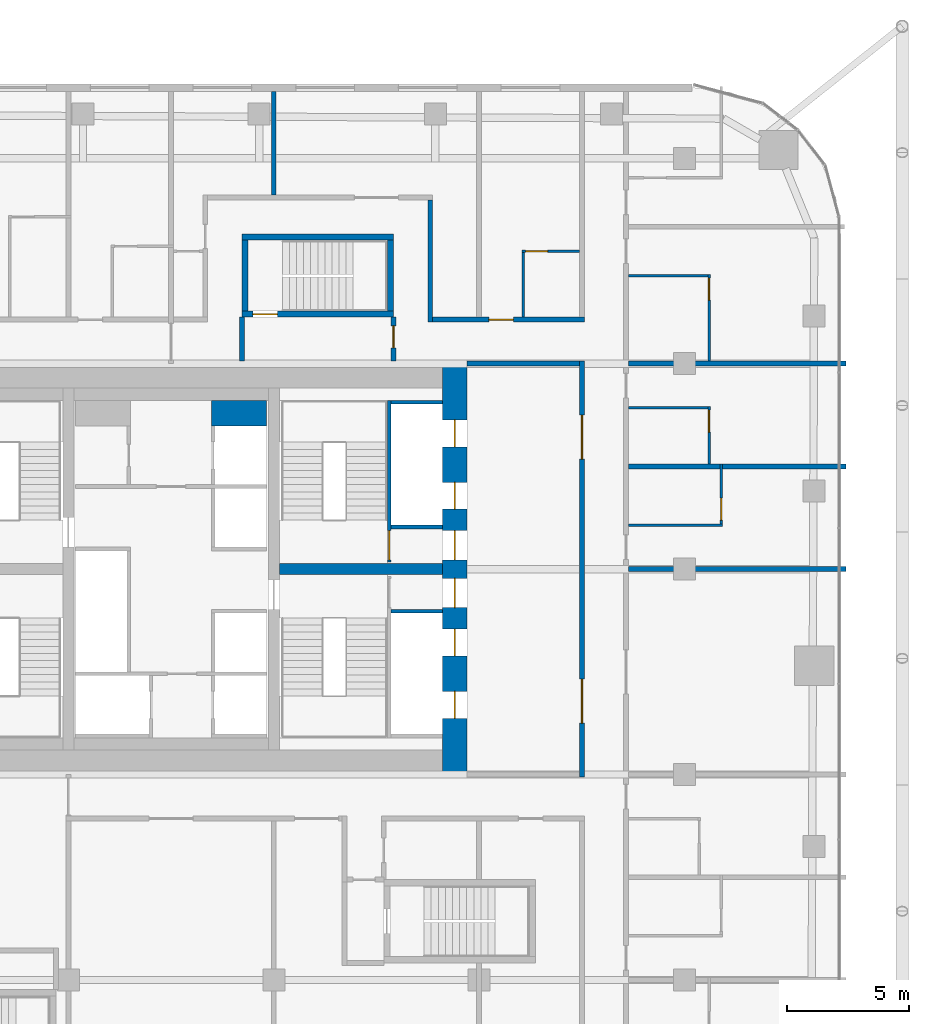
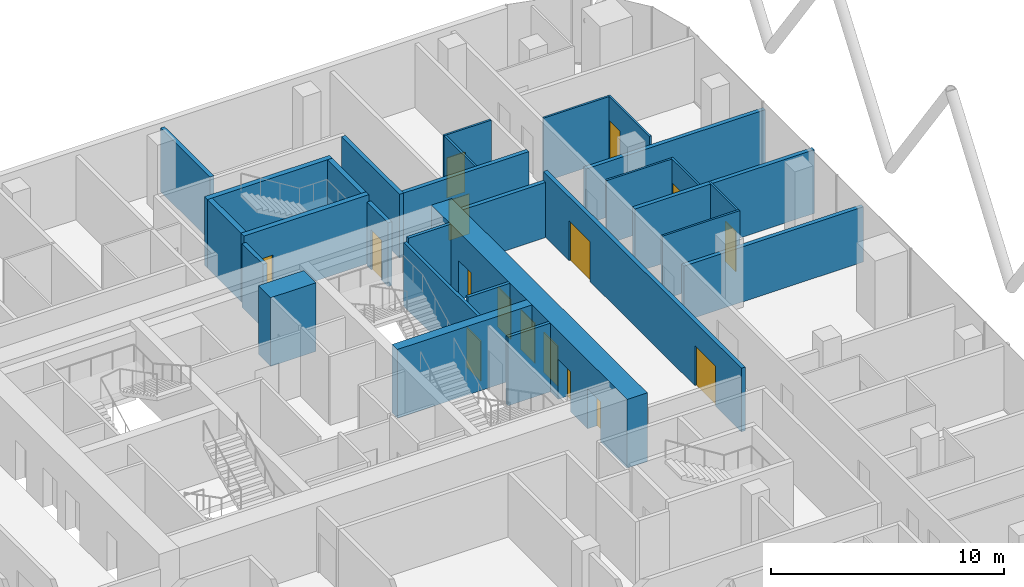
# One storey, part 30 of 33: 29 walls, 16 doors, 16 openings.
"""IFC4 building model written with IfcOpenShell, lengths in metres."""

from ifc_helpers import new_model, si_unit, direction, frame, frame_2d, origin, place, context, subcontext, project, spatial, rectangle, extrude, material, layer, layer_set, type_object, element, fill, save


model = new_model("IFC4")

# Units and contexts
model_context = context("Model", 3, precision=1e-05, world=origin(), true_north=direction((0.0, 1.0)))
body_context = subcontext(model_context, "Body", "Model", "MODEL_VIEW")
ifc_project = project(units=[si_unit("LENGTHUNIT", "METRE"), si_unit("AREAUNIT", "SQUARE_METRE"), si_unit("VOLUMEUNIT", "CUBIC_METRE"), si_unit("PLANEANGLEUNIT", "RADIAN"), si_unit("MASSUNIT", "GRAM", prefix="KILO")], contexts=[model_context])

# Site, building, storey
site_placement = place(None, origin())
site = spatial("IfcSite", under=ifc_project, at=site_placement, CompositionType="ELEMENT")
building_placement = place(site_placement, origin())
building = spatial("IfcBuilding", under=site, at=building_placement, Name="Marenta Gate Hotel Tower", CompositionType="ELEMENT")
storey_placement = place(building_placement, frame((0.0, 0.0, 108.5)))
storey = spatial("IfcBuildingStorey", under=building, at=storey_placement, Name="L23", CompositionType="ELEMENT", Elevation=108.5)

# Wall, openings, doors
ifc_material_1 = material(Name="Concrete blockwork", Category="masonry")
ifc_layer_1 = layer(ifc_material_1, 0.199951171875)
ifc_layer_set_1 = layer_set([ifc_layer_1], Name="Concrete blockwork")
wall_type_1 = type_object("IfcWallType", Name="Core boundary wall 200 REI 180", PredefinedType="PARTITIONING", material=ifc_layer_set_1)
wall_1_placement = place(storey_placement, frame((16.800048828125, -0.10009765625, 0.0), z_axis=(0.0, 0.0, 1.0), x_axis=(0.0, 1.0, 0.0)))
wall_1 = element("IfcWall", 1, at=wall_1_placement, inside=storey, type_object=wall_type_1, Name="L23-CP-BW-E", PredefinedType="PARTITIONING", context=body_context, shape_type="SweptSolid", body=[
    extrude(rectangle(XDim=17.0, YDim=0.199951171875, at=frame_2d((8.5, 0.0))), origin(), (0.0, 0.0, 1.0), 3.340087890625),
])
opening_1_placement = place(wall_1_placement, frame((2.199951171875, 0.0, 0.0)))
opening_1 = element("IfcOpeningElement", 2, at=opening_1_placement, cuts=wall_1, Name="Opening ED-Ea-B", PredefinedType="OPENING", context=body_context, shape_type="SweptSolid", body=[
    extrude(rectangle(XDim=1.800048828125, YDim=2.10009765625, at=frame_2d((0.89990234375, 1.050048828125))), frame((0.0, 0.10009765625, 0.0), z_axis=(0.0, -1.0, 0.0), x_axis=(1.0, 0.0, 0.0)), (0.0, 0.0, 1.0), 0.199951171875),
])
opening_2_placement = place(wall_1_placement, frame((13.0, 0.0, 0.0)))
opening_2 = element("IfcOpeningElement", 3, at=opening_2_placement, cuts=wall_1, Name="Opening ED-Eb-B", PredefinedType="OPENING", context=body_context, shape_type="SweptSolid", body=[
    extrude(rectangle(XDim=1.800048828125, YDim=2.10009765625, at=frame_2d((0.89990234375, 1.050048828125))), frame((0.0, 0.10009765625, 0.0), z_axis=(0.0, -1.0, 0.0), x_axis=(1.0, 0.0, 0.0)), (0.0, 0.0, 1.0), 0.199951171875),
])
ifc_material_2 = material(Name="Steel", Category="steel")
door_type_1 = type_object("IfcDoorType", Name="Core lobby entrance door 1800x2100 EI 60", OperationType="DOUBLE_DOOR_SINGLE_SWING", PredefinedType="DOOR", material=ifc_material_2)
door_1_placement = place(opening_1_placement, origin())
door_1 = element("IfcDoor", 4, at=door_1_placement, inside=storey, type_object=door_type_1, Name="ED-Ea-B", OperationType="DOUBLE_DOOR_SINGLE_SWING", OverallHeight=2.10009765625, OverallWidth=1.800048828125, PredefinedType="DOOR", context=body_context, shape_type="SweptSolid", body=[
    extrude(rectangle(XDim=1.800048828125, YDim=2.10009765625, at=frame_2d((0.89990234375, 1.050048828125))), frame((0.0, 0.02490234375, 0.0), z_axis=(0.0, -1.0, 0.0), x_axis=(1.0, 0.0, 0.0)), (0.0, 0.0, 1.0), 0.050048828125),
])
fill(opening_1, door_1)
door_2_placement = place(opening_2_placement, origin())
door_2 = element("IfcDoor", 5, at=door_2_placement, inside=storey, type_object=door_type_1, Name="ED-Eb-B", OperationType="DOUBLE_DOOR_SINGLE_SWING", OverallHeight=2.10009765625, OverallWidth=1.800048828125, PredefinedType="DOOR", context=body_context, shape_type="SweptSolid", body=[
    extrude(rectangle(XDim=1.800048828125, YDim=2.10009765625, at=frame_2d((0.89990234375, 1.050048828125))), frame((0.0, 0.02490234375, 0.0), z_axis=(0.0, -1.0, 0.0), x_axis=(1.0, 0.0, 0.0)), (0.0, 0.0, 1.0), 0.050048828125),
])
fill(opening_2, door_2)

# Walls
wall_2_placement = place(storey_placement, frame((12.10009765625, 16.800048828125, 0.0), z_axis=(0.0, 0.0, 1.0), x_axis=(1.0, 0.0, 0.0)))
element("IfcWall", 6, at=wall_2_placement, inside=storey, type_object=wall_type_1, Name="L23-CP-EW-EN", PredefinedType="PARTITIONING", context=body_context, shape_type="SweptSolid", body=[
    extrude(rectangle(XDim=4.599853515625, YDim=0.199951171875, at=frame_2d((2.2998046875, 0.0))), origin(), (0.0, 0.0, 1.0), 2.889892578125),
])
ifc_material_3 = material(Name="Concrete C40", Category="concrete")
ifc_layer_2 = layer(ifc_material_3, 1.050048828125)
ifc_layer_set_2 = layer_set([ifc_layer_2], Name="Concrete C40")
wall_type_2 = type_object("IfcWallType", Name="Core shaft wall 1050 REI 180", PredefinedType="SHEAR", material=ifc_layer_set_2)
wall_3_placement = place(storey_placement, frame((1.64990234375, 14.77490234375, 0.0), z_axis=(0.0, 0.0, 1.0), x_axis=(1.0, 0.0, 0.0)))
element("IfcWall", 7, at=wall_3_placement, inside=storey, type_object=wall_type_2, Name="L23-SHF-CE-N-top", PredefinedType="SHEAR", context=body_context, shape_type="SweptSolid", body=[
    extrude(rectangle(XDim=2.25, YDim=1.050048828125, at=frame_2d((1.125, 0.0))), origin(), (0.0, 0.0, 1.0), 3.60009765625),
])
ifc_material_4 = material(Name="Concrete C40", Category="concrete")
ifc_layer_3 = layer(ifc_material_4, 0.14990234375)
ifc_layer_set_3 = layer_set([ifc_layer_3], Name="Concrete C40")
wall_type_3 = type_object("IfcWallType", Name="Core shaft wall 150 REI 180", PredefinedType="SHEAR", material=ifc_layer_set_3)
for number, where, z_axis, x_axis, name in (
    (8, (9.0, 6.675048828125, 0.0), (0.0, 0.0, 1.0), (1.0, 0.0, 0.0), "L23-SHF-SW-ES-2"),
    (9, (9.0, 10.125, 0.0), (0.0, 0.0, 1.0), (1.0, 0.0, 0.0), "L23-SHF-SW-EN-2"),
    (10, (9.0, 15.22509765625, 0.0), (0.0, 0.0, 1.0), (1.0, 0.0, 0.0), "L23-SHF-SW-EN-5"),
):
    element("IfcWall", number, at=place(storey_placement, frame(where, z_axis=z_axis, x_axis=x_axis)), inside=storey, type_object=wall_type_3, Name=name, PredefinedType="SHEAR", context=body_context, shape_type="SweptSolid", body=[
        extrude(rectangle(XDim=2.10009765625, YDim=0.14990234375, at=frame_2d((1.050048828125, 0.0))), origin(), (0.0, 0.0, 1.0), 3.60009765625),
    ])

# Wall, opening, door
ifc_material_5 = material(Name="Concrete C40", Category="concrete")
ifc_layer_4 = layer(ifc_material_5, 0.14990234375)
ifc_layer_set_4 = layer_set([ifc_layer_4], Name="Concrete C40")
wall_type_4 = type_object("IfcWallType", Name="Core stair enclosure wall 150 REI 180", PredefinedType="SHEAR", material=ifc_layer_set_4)
wall_4_placement = place(storey_placement, frame((8.925048828125, 8.699951171875, 0.0), z_axis=(0.0, 0.0, 1.0), x_axis=(0.0, 1.0, 0.0)))
wall_4 = element("IfcWall", 11, at=wall_4_placement, inside=storey, type_object=wall_type_4, Name="L23-SHF-SW-EN-3", PredefinedType="SHEAR", context=body_context, shape_type="SweptSolid", body=[
    extrude(rectangle(XDim=6.60009765625, YDim=0.14990234375, at=frame_2d((3.300048828125, 0.0))), origin(), (0.0, 0.0, 1.0), 3.340087890625),
])
opening_3_placement = place(wall_4_placement, frame((0.074951171875, 0.0, 0.0)))
opening_3 = element("IfcOpeningElement", 12, at=opening_3_placement, cuts=wall_4, Name="Opening SD-EN", PredefinedType="OPENING", context=body_context, shape_type="SweptSolid", body=[
    extrude(rectangle(XDim=1.199951171875, YDim=2.10009765625, at=frame_2d((0.60009765625, 1.050048828125))), frame((0.0, 0.074951171875, 0.0), z_axis=(0.0, -1.0, 0.0), x_axis=(1.0, 0.0, 0.0)), (0.0, 0.0, 1.0), 0.14990234375),
])
ifc_material_6 = material(Name="Steel", Category="steel")
door_type_2 = type_object("IfcDoorType", Name="Core stair door 1200x2100 FD60", OperationType="SINGLE_SWING_LEFT", PredefinedType="DOOR", material=ifc_material_6)
door_3_placement = place(opening_3_placement, origin())
door_3 = element("IfcDoor", 13, at=door_3_placement, inside=storey, type_object=door_type_2, Name="SD-EN", OperationType="SINGLE_SWING_LEFT", OverallHeight=2.10009765625, OverallWidth=1.199951171875, PredefinedType="DOOR", context=body_context, shape_type="SweptSolid", body=[
    extrude(rectangle(XDim=1.199951171875, YDim=2.10009765625, at=frame_2d((0.60009765625, 1.050048828125))), frame((0.0, 0.02490234375, 0.0), z_axis=(0.0, -1.0, 0.0), x_axis=(1.0, 0.0, 0.0)), (0.0, 0.0, 1.0), 0.050048828125),
])
fill(opening_3, door_3)

# Wall, openings, doors
ifc_material_7 = material(Name="Concrete C70", Category="concrete")
ifc_layer_5 = layer(ifc_material_7, 1.0)
ifc_layer_set_5 = layer_set([ifc_layer_5], Name="Concrete C70")
wall_type_5 = type_object("IfcWallType", Name="Core wall 1000 C70", PredefinedType="SHEAR", material=ifc_layer_set_5)
wall_5_placement = place(storey_placement, frame((11.60009765625, 0.0, 0.0), z_axis=(0.0, 0.0, 1.0), x_axis=(0.0, 1.0, 0.0)))
wall_5 = element("IfcWall", 14, at=wall_5_placement, inside=storey, type_object=wall_type_5, Name="L23-CORE-E", PredefinedType="SHEAR", context=body_context, shape_type="SweptSolid", body=[
    extrude(rectangle(XDim=16.800048828125, YDim=1.0, at=frame_2d((8.39990234375, 0.0))), origin(), (0.0, 0.0, 1.0), 3.60009765625),
])
opening_4_placement = place(wall_5_placement, frame((2.300048828125, 0.0, 0.0)))
opening_4 = element("IfcOpeningElement", 15, at=opening_4_placement, cuts=wall_5, Name="Opening LD-HR1", PredefinedType="OPENING", context=body_context, shape_type="SweptSolid", body=[
    extrude(rectangle(XDim=1.10009765625, YDim=2.10009765625, at=frame_2d((0.550048828125, 1.050048828125))), frame((0.0, 0.5, 0.0), z_axis=(0.0, -1.0, 0.0), x_axis=(1.0, 0.0, 0.0)), (0.0, 0.0, 1.0), 1.0),
])
opening_5_placement = place(wall_5_placement, frame((4.85009765625, 0.0, 0.0)))
opening_5 = element("IfcOpeningElement", 16, at=opening_5_placement, cuts=wall_5, Name="Opening LD-HR2", PredefinedType="OPENING", context=body_context, shape_type="SweptSolid", body=[
    extrude(rectangle(XDim=1.10009765625, YDim=2.10009765625, at=frame_2d((0.550048828125, 1.050048828125))), frame((0.0, 0.5, 0.0), z_axis=(0.0, -1.0, 0.0), x_axis=(1.0, 0.0, 0.0)), (0.0, 0.0, 1.0), 1.0),
])
opening_6_placement = place(wall_5_placement, frame((6.824951171875, 0.0, 0.0)))
opening_6 = element("IfcOpeningElement", 17, at=opening_6_placement, cuts=wall_5, Name="Opening PD-ES", PredefinedType="OPENING", context=body_context, shape_type="SweptSolid", body=[
    extrude(rectangle(XDim=1.199951171875, YDim=2.10009765625, at=frame_2d((0.60009765625, 1.050048828125))), frame((0.0, 0.5, 0.0), z_axis=(0.0, -1.0, 0.0), x_axis=(1.0, 0.0, 0.0)), (0.0, 0.0, 1.0), 1.0),
])
opening_7_placement = place(wall_5_placement, frame((13.39990234375, 0.0, 0.0)))
opening_7 = element("IfcOpeningElement", 18, at=opening_7_placement, cuts=wall_5, Name="Opening LD-HR4", PredefinedType="OPENING", context=body_context, shape_type="SweptSolid", body=[
    extrude(rectangle(XDim=1.10009765625, YDim=2.10009765625, at=frame_2d((0.550048828125, 1.050048828125))), frame((0.0, 0.5, 0.0), z_axis=(0.0, -1.0, 0.0), x_axis=(1.0, 0.0, 0.0)), (0.0, 0.0, 1.0), 1.0),
])
opening_8_placement = place(wall_5_placement, frame((10.85009765625, 0.0, 0.0)))
opening_8 = element("IfcOpeningElement", 19, at=opening_8_placement, cuts=wall_5, Name="Opening LD-HR3", PredefinedType="OPENING", context=body_context, shape_type="SweptSolid", body=[
    extrude(rectangle(XDim=1.10009765625, YDim=2.10009765625, at=frame_2d((0.550048828125, 1.050048828125))), frame((0.0, 0.5, 0.0), z_axis=(0.0, -1.0, 0.0), x_axis=(1.0, 0.0, 0.0)), (0.0, 0.0, 1.0), 1.0),
])
opening_9_placement = place(wall_5_placement, frame((8.77490234375, 0.0, 0.0)))
opening_9 = element("IfcOpeningElement", 20, at=opening_9_placement, cuts=wall_5, Name="Opening PD-EN", PredefinedType="OPENING", context=body_context, shape_type="SweptSolid", body=[
    extrude(rectangle(XDim=1.199951171875, YDim=2.10009765625, at=frame_2d((0.60009765625, 1.050048828125))), frame((0.0, 0.5, 0.0), z_axis=(0.0, -1.0, 0.0), x_axis=(1.0, 0.0, 0.0)), (0.0, 0.0, 1.0), 1.0),
])
ifc_material_8 = material(Name="Steel", Category="steel")
door_type_3 = type_object("IfcDoorType", Name="Core lift landing door 1100x2100 E 60", OperationType="SLIDING_TO_LEFT", PredefinedType="DOOR", material=ifc_material_8)
door_4_placement = place(opening_4_placement, origin())
door_4 = element("IfcDoor", 21, at=door_4_placement, inside=storey, type_object=door_type_3, Name="LD-HR1", OperationType="SLIDING_TO_LEFT", OverallHeight=2.10009765625, OverallWidth=1.10009765625, PredefinedType="DOOR", context=body_context, shape_type="SweptSolid", body=[
    extrude(rectangle(XDim=1.10009765625, YDim=2.10009765625, at=frame_2d((0.550048828125, 1.050048828125))), frame((0.0, 0.02490234375, 0.0), z_axis=(0.0, -1.0, 0.0), x_axis=(1.0, 0.0, 0.0)), (0.0, 0.0, 1.0), 0.050048828125),
])
fill(opening_4, door_4)
door_5_placement = place(opening_5_placement, origin())
door_5 = element("IfcDoor", 22, at=door_5_placement, inside=storey, type_object=door_type_3, Name="LD-HR2", OperationType="SLIDING_TO_LEFT", OverallHeight=2.10009765625, OverallWidth=1.10009765625, PredefinedType="DOOR", context=body_context, shape_type="SweptSolid", body=[
    extrude(rectangle(XDim=1.10009765625, YDim=2.10009765625, at=frame_2d((0.550048828125, 1.050048828125))), frame((0.0, 0.02490234375, 0.0), z_axis=(0.0, -1.0, 0.0), x_axis=(1.0, 0.0, 0.0)), (0.0, 0.0, 1.0), 0.050048828125),
])
fill(opening_5, door_5)
door_6_placement = place(opening_7_placement, origin())
door_6 = element("IfcDoor", 23, at=door_6_placement, inside=storey, type_object=door_type_3, Name="LD-HR4", OperationType="SLIDING_TO_LEFT", OverallHeight=2.10009765625, OverallWidth=1.10009765625, PredefinedType="DOOR", context=body_context, shape_type="SweptSolid", body=[
    extrude(rectangle(XDim=1.10009765625, YDim=2.10009765625, at=frame_2d((0.550048828125, 1.050048828125))), frame((0.0, 0.02490234375, 0.0), z_axis=(0.0, -1.0, 0.0), x_axis=(1.0, 0.0, 0.0)), (0.0, 0.0, 1.0), 0.050048828125),
])
fill(opening_7, door_6)
door_7_placement = place(opening_8_placement, origin())
door_7 = element("IfcDoor", 24, at=door_7_placement, inside=storey, type_object=door_type_3, Name="LD-HR3", OperationType="SLIDING_TO_LEFT", OverallHeight=2.10009765625, OverallWidth=1.10009765625, PredefinedType="DOOR", context=body_context, shape_type="SweptSolid", body=[
    extrude(rectangle(XDim=1.10009765625, YDim=2.10009765625, at=frame_2d((0.550048828125, 1.050048828125))), frame((0.0, 0.02490234375, 0.0), z_axis=(0.0, -1.0, 0.0), x_axis=(1.0, 0.0, 0.0)), (0.0, 0.0, 1.0), 0.050048828125),
])
fill(opening_8, door_7)
ifc_material_9 = material(Name="Steel", Category="steel")
door_type_4 = type_object("IfcDoorType", Name="Core lobby door 1200x2100 FD60", OperationType="SINGLE_SWING_LEFT", PredefinedType="DOOR", material=ifc_material_9)
door_8_placement = place(opening_6_placement, origin())
door_8 = element("IfcDoor", 25, at=door_8_placement, inside=storey, type_object=door_type_4, Name="PD-ES", OperationType="SINGLE_SWING_LEFT", OverallHeight=2.10009765625, OverallWidth=1.199951171875, PredefinedType="DOOR", context=body_context, shape_type="SweptSolid", body=[
    extrude(rectangle(XDim=1.199951171875, YDim=2.10009765625, at=frame_2d((0.60009765625, 1.050048828125))), frame((0.0, 0.02490234375, 0.0), z_axis=(0.0, -1.0, 0.0), x_axis=(1.0, 0.0, 0.0)), (0.0, 0.0, 1.0), 0.050048828125),
])
fill(opening_6, door_8)
door_9_placement = place(opening_9_placement, origin())
door_9 = element("IfcDoor", 26, at=door_9_placement, inside=storey, type_object=door_type_4, Name="PD-EN", OperationType="SINGLE_SWING_LEFT", OverallHeight=2.10009765625, OverallWidth=1.199951171875, PredefinedType="DOOR", context=body_context, shape_type="SweptSolid", body=[
    extrude(rectangle(XDim=1.199951171875, YDim=2.10009765625, at=frame_2d((0.60009765625, 1.050048828125))), frame((0.0, 0.02490234375, 0.0), z_axis=(0.0, -1.0, 0.0), x_axis=(1.0, 0.0, 0.0)), (0.0, 0.0, 1.0), 0.050048828125),
])
fill(opening_9, door_9)

# Wall
ifc_material_10 = material(Name="Concrete C70", Category="concrete")
ifc_layer_6 = layer(ifc_material_10, 0.449951171875)
ifc_layer_set_6 = layer_set([ifc_layer_6], Name="Concrete C70")
wall_type_6 = type_object("IfcWallType", Name="Core web 450 C70", PredefinedType="SHEAR", material=ifc_layer_set_6)
wall_6_placement = place(storey_placement, frame((4.425048828125, 8.39990234375, 0.0), z_axis=(0.0, 0.0, 1.0), x_axis=(1.0, 0.0, 0.0)))
element("IfcWall", 27, at=wall_6_placement, inside=storey, type_object=wall_type_6, Name="L23-CORE-W4", PredefinedType="SHEAR", context=body_context, shape_type="SweptSolid", body=[
    extrude(rectangle(XDim=6.675048828125, YDim=0.449951171875, at=frame_2d((3.33740234375, 0.0))), origin(), (0.0, 0.0, 1.0), 3.60009765625),
])

# Wall, opening, door
ifc_material_11 = material(Name="Concrete C40", Category="concrete")
ifc_layer_7 = layer(ifc_material_11, 0.25)
ifc_layer_set_7 = layer_set([ifc_layer_7], Name="Concrete C40")
wall_type_7 = type_object("IfcWallType", Name="Remote stair enclosure wall 250 REI 180", PredefinedType="SHEAR", material=ifc_layer_set_7)
wall_7_placement = place(storey_placement, frame((2.89990234375, 18.824951171875, 0.10009765625), z_axis=(0.0, 0.0, 1.0), x_axis=(1.0, 0.0, 0.0)))
wall_7 = element("IfcWall", 28, at=wall_7_placement, inside=storey, type_object=wall_type_7, Name="L23-RS-Z2-4-W1", PredefinedType="SHEAR", context=body_context, shape_type="SweptSolid", body=[
    extrude(rectangle(XDim=6.2001953125, YDim=0.25, at=frame_2d((3.10009765625, 0.0))), origin(), (0.0, 0.0, 1.0), 3.599853515625),
])
opening_10_placement = place(wall_7_placement, frame((0.449951171875, 0.0, 0.0)))
opening_10 = element("IfcOpeningElement", 29, at=opening_10_placement, cuts=wall_7, Name="Opening VD", PredefinedType="OPENING", context=body_context, shape_type="SweptSolid", body=[
    extrude(rectangle(XDim=1.0, YDim=2.10009765625, at=frame_2d((0.5, 1.050048828125))), frame((0.0, 0.125, 0.0), z_axis=(0.0, -1.0, 0.0), x_axis=(1.0, 0.0, 0.0)), (0.0, 0.0, 1.0), 0.25),
])
ifc_material_12 = material(Name="Steel", Category="steel")
door_type_5 = type_object("IfcDoorType", Name="Stair vestibule door 1000x2100 FD60", OperationType="SINGLE_SWING_LEFT", PredefinedType="DOOR", material=ifc_material_12)
door_10_placement = place(opening_10_placement, origin())
door_10 = element("IfcDoor", 30, at=door_10_placement, inside=storey, type_object=door_type_5, Name="VD", OperationType="SINGLE_SWING_LEFT", OverallHeight=2.10009765625, OverallWidth=1.0, PredefinedType="DOOR", context=body_context, shape_type="SweptSolid", body=[
    extrude(rectangle(XDim=1.0, YDim=2.10009765625, at=frame_2d((0.5, 1.050048828125))), frame((0.0, 0.02490234375, 0.0), z_axis=(0.0, -1.0, 0.0), x_axis=(1.0, 0.0, 0.0)), (0.0, 0.0, 1.0), 0.050048828125),
])
fill(opening_10, door_10)

# Walls
wall_8_placement = place(storey_placement, frame((2.89990234375, 21.97509765625, 0.10009765625), z_axis=(0.0, 0.0, 1.0), x_axis=(1.0, 0.0, 0.0)))
element("IfcWall", 31, at=wall_8_placement, inside=storey, type_object=wall_type_7, Name="L23-RS-Z2-4-W2", PredefinedType="SHEAR", context=body_context, shape_type="SweptSolid", body=[
    extrude(rectangle(XDim=6.2001953125, YDim=0.25, at=frame_2d((3.10009765625, 0.0))), origin(), (0.0, 0.0, 1.0), 3.599853515625),
])
for number, where, z_axis, x_axis, name in (
    (32, (3.02490234375, 18.949951171875, 0.10009765625), (0.0, 0.0, 1.0), (0.0, 1.0, 0.0), "L23-RS-Z2-4-W3"),
    (33, (8.97509765625, 18.949951171875, 0.10009765625), (0.0, 0.0, 1.0), (0.0, 1.0, 0.0), "L23-RS-Z2-4-W4"),
):
    element("IfcWall", number, at=place(storey_placement, frame(where, z_axis=z_axis, x_axis=x_axis)), inside=storey, type_object=wall_type_7, Name=name, PredefinedType="SHEAR", context=body_context, shape_type="SweptSolid", body=[
        extrude(rectangle(XDim=2.900146484375, YDim=0.25, at=frame_2d((1.4501953125, 0.0))), origin(), (0.0, 0.0, 1.0), 3.599853515625),
    ])
ifc_material_13 = material(Name="Gypsum board on steel stud", Category="steel")
ifc_layer_8 = layer(ifc_material_13, 0.199951171875)
ifc_layer_set_8 = layer_set([ifc_layer_8], Name="Gypsum board on steel stud")
wall_type_8 = type_object("IfcWallType", Name="Room corridor wall 200 EI 60", PredefinedType="PARTITIONING", material=ifc_layer_set_8)
wall_9_placement = place(storey_placement, frame((10.60009765625, 18.5, 0.0), z_axis=(0.0, 0.0, 1.0), x_axis=(0.0, 1.0, 0.0)))
element("IfcWall", 34, at=wall_9_placement, inside=storey, type_object=wall_type_8, Name="L23-PTN-W042", PredefinedType="PARTITIONING", context=body_context, shape_type="SweptSolid", body=[
    extrude(rectangle(XDim=5.0, YDim=0.199951171875, at=frame_2d((2.5, 0.0))), origin(), (0.0, 0.0, 1.0), 3.340087890625),
])

# Wall, opening, door
wall_10_placement = place(storey_placement, frame((10.699951171875, 18.60009765625, 0.0), z_axis=(0.0, 0.0, 1.0), x_axis=(1.0, 0.0, 0.0)))
wall_10 = element("IfcWall", 35, at=wall_10_placement, inside=storey, type_object=wall_type_8, Name="L23-PTN-W113", PredefinedType="PARTITIONING", context=body_context, shape_type="SweptSolid", body=[
    extrude(rectangle(XDim=6.199951171875, YDim=0.199951171875, at=frame_2d((3.10009765625, 0.0))), origin(), (0.0, 0.0, 1.0), 3.340087890625),
])
opening_11_placement = place(wall_10_placement, frame((2.300048828125, 0.0, 0.0)))
opening_11 = element("IfcOpeningElement", 36, at=opening_11_placement, cuts=wall_10, Name="Opening G08-35", PredefinedType="OPENING", context=body_context, shape_type="SweptSolid", body=[
    extrude(rectangle(XDim=1.0, YDim=2.10009765625, at=frame_2d((0.5, 1.050048828125))), frame((0.0, 0.10009765625, 0.0), z_axis=(0.0, -1.0, 0.0), x_axis=(1.0, 0.0, 0.0)), (0.0, 0.0, 1.0), 0.199951171875),
])
ifc_material_14 = material(Name="Timber door leaf", Category="wood")
door_type_6 = type_object("IfcDoorType", Name="Guest room door 1000x2100 EI 30", OperationType="NOTDEFINED", PredefinedType="DOOR", material=ifc_material_14)
door_11_placement = place(opening_11_placement, origin())
door_11 = element("IfcDoor", 37, at=door_11_placement, inside=storey, type_object=door_type_6, Name="L23-PD-D035", OperationType="SINGLE_SWING_RIGHT", OverallHeight=2.10009765625, OverallWidth=1.0, PredefinedType="DOOR", context=body_context, shape_type="SweptSolid", body=[
    extrude(rectangle(XDim=1.0, YDim=2.10009765625, at=frame_2d((0.5, 1.050048828125))), frame((0.0, 0.02490234375, 0.0), z_axis=(0.0, -1.0, 0.0), x_axis=(1.0, 0.0, 0.0)), (0.0, 0.0, 1.0), 0.050048828125),
])
fill(opening_11, door_11)

ifc_material_15 = material(Name="Concrete blockwork", Category="masonry")
ifc_layer_9 = layer(ifc_material_15, 0.199951171875)
ifc_layer_set_9 = layer_set([ifc_layer_9], Name="Concrete blockwork")
wall_type_9 = type_object("IfcWallType", Name="Room corridor wall 200 REI 180", PredefinedType="PARTITIONING", material=ifc_layer_set_9)
wall_11_placement = place(storey_placement, frame((9.10009765625, 16.89990234375, 0.0), z_axis=(0.0, 0.0, 1.0), x_axis=(0.0, 1.0, 0.0)))
wall_11 = element("IfcWall", 38, at=wall_11_placement, inside=storey, type_object=wall_type_9, Name="L23-PTN-W043", PredefinedType="PARTITIONING", context=body_context, shape_type="SweptSolid", body=[
    extrude(rectangle(XDim=1.800048828125, YDim=0.199951171875, at=frame_2d((0.89990234375, 0.0))), origin(), (0.0, 0.0, 1.0), 3.340087890625),
])
opening_12_placement = place(wall_11_placement, frame((0.550048828125, 0.0, 0.0)))
opening_12 = element("IfcOpeningElement", 39, at=opening_12_placement, cuts=wall_11, Name="Opening G08-69", PredefinedType="OPENING", context=body_context, shape_type="SweptSolid", body=[
    extrude(rectangle(XDim=0.89990234375, YDim=2.10009765625, at=frame_2d((0.449951171875, 1.050048828125))), frame((0.0, 0.10009765625, 0.0), z_axis=(0.0, -1.0, 0.0), x_axis=(1.0, 0.0, 0.0)), (0.0, 0.0, 1.0), 0.199951171875),
])
ifc_material_16 = material(Name="Hollow steel door set", Category="steel")
door_type_7 = type_object("IfcDoorType", Name="Stair vestibule door 900x2100 EI 60", OperationType="NOTDEFINED", PredefinedType="DOOR", material=ifc_material_16)
door_12_placement = place(opening_12_placement, origin())
door_12 = element("IfcDoor", 40, at=door_12_placement, inside=storey, type_object=door_type_7, Name="L23-PD-D069", OperationType="SINGLE_SWING_RIGHT", OverallHeight=2.10009765625, OverallWidth=0.89990234375, PredefinedType="DOOR", context=body_context, shape_type="SweptSolid", body=[
    extrude(rectangle(XDim=0.89990234375, YDim=2.10009765625, at=frame_2d((0.449951171875, 1.050048828125))), frame((0.0, 0.02490234375, 0.0), z_axis=(0.0, -1.0, 0.0), x_axis=(1.0, 0.0, 0.0)), (0.0, 0.0, 1.0), 0.050048828125),
])
fill(opening_12, door_12)

# Wall
wall_12_placement = place(storey_placement, frame((2.89990234375, 16.89990234375, 0.0), z_axis=(0.0, 0.0, 1.0), x_axis=(0.0, 1.0, 0.0)))
element("IfcWall", 41, at=wall_12_placement, inside=storey, type_object=wall_type_9, Name="L23-PTN-W063", PredefinedType="PARTITIONING", context=body_context, shape_type="SweptSolid", body=[
    extrude(rectangle(XDim=1.800048828125, YDim=0.199951171875, at=frame_2d((0.89990234375, 0.0))), origin(), (0.0, 0.0, 1.0), 3.340087890625),
])

# Wall, opening, door
ifc_material_17 = material(Name="Gypsum board on steel stud", Category="steel")
ifc_layer_10 = layer(ifc_material_17, 0.10009765625)
ifc_layer_set_10 = layer_set([ifc_layer_10], Name="Gypsum board on steel stud")
wall_type_10 = type_object("IfcWallType", Name="Room partition 100", PredefinedType="PARTITIONING", material=ifc_layer_set_10)
wall_13_placement = place(storey_placement, frame((22.5, 10.25, 0.0), z_axis=(0.0, 0.0, 1.0), x_axis=(0.0, 1.0, 0.0)))
wall_13 = element("IfcWall", 42, at=wall_13_placement, inside=storey, type_object=wall_type_10, Name="L23-PTN-W003", PredefinedType="PARTITIONING", context=body_context, shape_type="SweptSolid", body=[
    extrude(rectangle(XDim=2.449951171875, YDim=0.10009765625, at=frame_2d((1.22509765625, 0.0))), origin(), (0.0, 0.0, 1.0), 3.340087890625),
])
opening_13_placement = place(wall_13_placement, frame((0.14990234375, 0.0, 0.0)))
opening_13 = element("IfcOpeningElement", 43, at=opening_13_placement, cuts=wall_13, Name="Opening G08-18", PredefinedType="OPENING", context=body_context, shape_type="SweptSolid", body=[
    extrude(rectangle(XDim=0.89990234375, YDim=2.10009765625, at=frame_2d((0.449951171875, 1.050048828125))), frame((0.0, 0.050048828125, 0.0), z_axis=(0.0, -1.0, 0.0), x_axis=(1.0, 0.0, 0.0)), (0.0, 0.0, 1.0), 0.10009765625),
])
ifc_material_18 = material(Name="Timber door leaf", Category="wood")
door_type_8 = type_object("IfcDoorType", Name="Guest bathroom door 900x2100", OperationType="NOTDEFINED", PredefinedType="DOOR", material=ifc_material_18)
door_13_placement = place(opening_13_placement, origin())
door_13 = element("IfcDoor", 44, at=door_13_placement, inside=storey, type_object=door_type_8, Name="L23-PD-D018", OperationType="SINGLE_SWING_LEFT", OverallHeight=2.10009765625, OverallWidth=0.89990234375, PredefinedType="DOOR", context=body_context, shape_type="SweptSolid", body=[
    extrude(rectangle(XDim=0.89990234375, YDim=2.10009765625, at=frame_2d((0.449951171875, 1.050048828125))), frame((0.0, 0.02490234375, 0.0), z_axis=(0.0, -1.0, 0.0), x_axis=(1.0, 0.0, 0.0)), (0.0, 0.0, 1.0), 0.050048828125),
])
fill(opening_13, door_13)

wall_14_placement = place(storey_placement, frame((22.0, 12.699951171875, 0.0), z_axis=(0.0, 0.0, 1.0), x_axis=(0.0, 1.0, 0.0)))
wall_14 = element("IfcWall", 45, at=wall_14_placement, inside=storey, type_object=wall_type_10, Name="L23-PTN-W006", PredefinedType="PARTITIONING", context=body_context, shape_type="SweptSolid", body=[
    extrude(rectangle(XDim=2.35009765625, YDim=0.10009765625, at=frame_2d((1.175048828125, 0.0))), origin(), (0.0, 0.0, 1.0), 3.340087890625),
])
opening_14_placement = place(wall_14_placement, frame((1.300048828125, 0.0, 0.0)))
opening_14 = element("IfcOpeningElement", 46, at=opening_14_placement, cuts=wall_14, Name="Opening G08-20", PredefinedType="OPENING", context=body_context, shape_type="SweptSolid", body=[
    extrude(rectangle(XDim=0.89990234375, YDim=2.10009765625, at=frame_2d((0.449951171875, 1.050048828125))), frame((0.0, 0.050048828125, 0.0), z_axis=(0.0, -1.0, 0.0), x_axis=(1.0, 0.0, 0.0)), (0.0, 0.0, 1.0), 0.10009765625),
])
door_14_placement = place(opening_14_placement, origin())
door_14 = element("IfcDoor", 47, at=door_14_placement, inside=storey, type_object=door_type_8, Name="L23-PD-D020", OperationType="SINGLE_SWING_RIGHT", OverallHeight=2.10009765625, OverallWidth=0.89990234375, PredefinedType="DOOR", context=body_context, shape_type="SweptSolid", body=[
    extrude(rectangle(XDim=0.89990234375, YDim=2.10009765625, at=frame_2d((0.449951171875, 1.050048828125))), frame((0.0, 0.02490234375, 0.0), z_axis=(0.0, -1.0, 0.0), x_axis=(1.0, 0.0, 0.0)), (0.0, 0.0, 1.0), 0.050048828125),
])
fill(opening_14, door_14)

wall_15_placement = place(storey_placement, frame((22.0, 16.89990234375, 0.0), z_axis=(0.0, 0.0, 1.0), x_axis=(0.0, 1.0, 0.0)))
wall_15 = element("IfcWall", 48, at=wall_15_placement, inside=storey, type_object=wall_type_10, Name="L23-PTN-W007", PredefinedType="PARTITIONING", context=body_context, shape_type="SweptSolid", body=[
    extrude(rectangle(XDim=3.550048828125, YDim=0.10009765625, at=frame_2d((1.77490234375, 0.0))), origin(), (0.0, 0.0, 1.0), 3.340087890625),
])
opening_15_placement = place(wall_15_placement, frame((2.5, 0.0, 0.0)))
opening_15 = element("IfcOpeningElement", 49, at=opening_15_placement, cuts=wall_15, Name="Opening G08-22", PredefinedType="OPENING", context=body_context, shape_type="SweptSolid", body=[
    extrude(rectangle(XDim=0.89990234375, YDim=2.10009765625, at=frame_2d((0.449951171875, 1.050048828125))), frame((0.0, 0.050048828125, 0.0), z_axis=(0.0, -1.0, 0.0), x_axis=(1.0, 0.0, 0.0)), (0.0, 0.0, 1.0), 0.10009765625),
])
door_15_placement = place(opening_15_placement, origin())
door_15 = element("IfcDoor", 50, at=door_15_placement, inside=storey, type_object=door_type_8, Name="L23-PD-D022", OperationType="SINGLE_SWING_RIGHT", OverallHeight=2.10009765625, OverallWidth=0.89990234375, PredefinedType="DOOR", context=body_context, shape_type="SweptSolid", body=[
    extrude(rectangle(XDim=0.89990234375, YDim=2.10009765625, at=frame_2d((0.449951171875, 1.050048828125))), frame((0.0, 0.02490234375, 0.0), z_axis=(0.0, -1.0, 0.0), x_axis=(1.0, 0.0, 0.0)), (0.0, 0.0, 1.0), 0.050048828125),
])
fill(opening_15, door_15)

# Walls
wall_16_placement = place(storey_placement, frame((14.39990234375, 18.699951171875, 0.0), z_axis=(0.0, 0.0, 1.0), x_axis=(0.0, 1.0, 0.0)))
element("IfcWall", 51, at=wall_16_placement, inside=storey, type_object=wall_type_10, Name="L23-PTN-W025", PredefinedType="PARTITIONING", context=body_context, shape_type="SweptSolid", body=[
    extrude(rectangle(XDim=2.650146484375, YDim=0.10009765625, at=frame_2d((1.3251953125, 0.0))), origin(), (0.0, 0.0, 1.0), 3.340087890625),
])
wall_17_placement = place(storey_placement, frame((18.699951171875, 10.199951171875, 0.0), z_axis=(0.0, 0.0, 1.0), x_axis=(1.0, 0.0, 0.0)))
element("IfcWall", 52, at=wall_17_placement, inside=storey, type_object=wall_type_10, Name="L23-PTN-W093", PredefinedType="PARTITIONING", context=body_context, shape_type="SweptSolid", body=[
    extrude(rectangle(XDim=3.85009765625, YDim=0.10009765625, at=frame_2d((1.925048828125, 0.0))), origin(), (0.0, 0.0, 1.0), 3.340087890625),
])
for number, where, z_axis, x_axis, name in (
    (53, (18.699951171875, 15.0, 0.0), (0.0, 0.0, 1.0), (1.0, 0.0, 0.0), "L23-PTN-W101"),
    (54, (18.699951171875, 20.39990234375, 0.0), (0.0, 0.0, 1.0), (1.0, 0.0, 0.0), "L23-PTN-W114"),
):
    element("IfcWall", number, at=place(storey_placement, frame(where, z_axis=z_axis, x_axis=x_axis)), inside=storey, type_object=wall_type_10, Name=name, PredefinedType="PARTITIONING", context=body_context, shape_type="SweptSolid", body=[
        extrude(rectangle(XDim=3.25, YDim=0.10009765625, at=frame_2d((1.625, 0.0))), origin(), (0.0, 0.0, 1.0), 3.340087890625),
    ])

# Wall, opening, door
wall_18_placement = place(storey_placement, frame((14.35009765625, 21.39990234375, 0.0), z_axis=(0.0, 0.0, 1.0), x_axis=(1.0, 0.0, 0.0)))
wall_18 = element("IfcWall", 55, at=wall_18_placement, inside=storey, type_object=wall_type_10, Name="L23-PTN-W117", PredefinedType="PARTITIONING", context=body_context, shape_type="SweptSolid", body=[
    extrude(rectangle(XDim=2.349853515625, YDim=0.10009765625, at=frame_2d((1.1748046875, 0.0))), origin(), (0.0, 0.0, 1.0), 3.340087890625),
])
opening_16_placement = place(wall_18_placement, frame((0.14990234375, 0.0, 0.0)))
opening_16 = element("IfcOpeningElement", 56, at=opening_16_placement, cuts=wall_18, Name="Opening G08-36", PredefinedType="OPENING", context=body_context, shape_type="SweptSolid", body=[
    extrude(rectangle(XDim=0.89990234375, YDim=2.10009765625, at=frame_2d((0.449951171875, 1.050048828125))), frame((0.0, 0.050048828125, 0.0), z_axis=(0.0, -1.0, 0.0), x_axis=(1.0, 0.0, 0.0)), (0.0, 0.0, 1.0), 0.10009765625),
])
door_16_placement = place(opening_16_placement, origin())
door_16 = element("IfcDoor", 57, at=door_16_placement, inside=storey, type_object=door_type_8, Name="L23-PD-D036", OperationType="SINGLE_SWING_RIGHT", OverallHeight=2.10009765625, OverallWidth=0.89990234375, PredefinedType="DOOR", context=body_context, shape_type="SweptSolid", body=[
    extrude(rectangle(XDim=0.89990234375, YDim=2.10009765625, at=frame_2d((0.449951171875, 1.050048828125))), frame((0.0, 0.02490234375, 0.0), z_axis=(0.0, -1.0, 0.0), x_axis=(1.0, 0.0, 0.0)), (0.0, 0.0, 1.0), 0.050048828125),
])
fill(opening_16, door_16)

# Walls
ifc_material_19 = material(Name="Gypsum board on steel stud", Category="steel")
ifc_layer_11 = layer(ifc_material_19, 0.199951171875)
ifc_layer_set_11 = layer_set([ifc_layer_11], Name="Gypsum board on steel stud")
wall_type_11 = type_object("IfcWallType", Name="Room party wall 200 EI 60", PredefinedType="PARTITIONING", material=ifc_layer_set_11)
wall_19_placement = place(storey_placement, frame((4.199951171875, 23.699951171875, 0.0), z_axis=(0.0, 0.0, 1.0), x_axis=(0.0, 1.0, 0.0)))
element("IfcWall", 58, at=wall_19_placement, inside=storey, type_object=wall_type_11, Name="L23-PTN-W060", PredefinedType="PARTITIONING", context=body_context, shape_type="SweptSolid", body=[
    extrude(rectangle(XDim=4.239990234375, YDim=0.199951171875, at=frame_2d((2.1201171875, 0.0))), origin(), (0.0, 0.0, 1.0), 3.340087890625),
])
wall_20_placement = place(storey_placement, frame((18.699951171875, 8.39990234375, 0.0), z_axis=(0.0, 0.0, 1.0), x_axis=(1.0, 0.0, 0.0)))
element("IfcWall", 59, at=wall_20_placement, inside=storey, type_object=wall_type_11, Name="L23-PTN-W089", PredefinedType="PARTITIONING", context=body_context, shape_type="SweptSolid", body=[
    extrude(rectangle(XDim=8.900146484375, YDim=0.199951171875, at=frame_2d((4.4501953125, 0.0))), origin(), (0.0, 0.0, 1.0), 2.889892578125),
])
wall_21_placement = place(storey_placement, frame((18.699951171875, 12.60009765625, 0.0), z_axis=(0.0, 0.0, 1.0), x_axis=(1.0, 0.0, 0.0)))
element("IfcWall", 60, at=wall_21_placement, inside=storey, type_object=wall_type_11, Name="L23-PTN-W099", PredefinedType="PARTITIONING", context=body_context, shape_type="SweptSolid", body=[
    extrude(rectangle(XDim=8.900146484375, YDim=0.199951171875, at=frame_2d((4.4501953125, 0.0))), origin(), (0.0, 0.0, 1.0), 3.340087890625),
])
wall_22_placement = place(storey_placement, frame((18.699951171875, 16.800048828125, 0.0), z_axis=(0.0, 0.0, 1.0), x_axis=(1.0, 0.0, 0.0)))
element("IfcWall", 61, at=wall_22_placement, inside=storey, type_object=wall_type_11, Name="L23-PTN-W107", PredefinedType="PARTITIONING", context=body_context, shape_type="SweptSolid", body=[
    extrude(rectangle(XDim=8.900146484375, YDim=0.199951171875, at=frame_2d((4.4501953125, 0.0))), origin(), (0.0, 0.0, 1.0), 2.889892578125),
])

save(model, "model.ifc")
